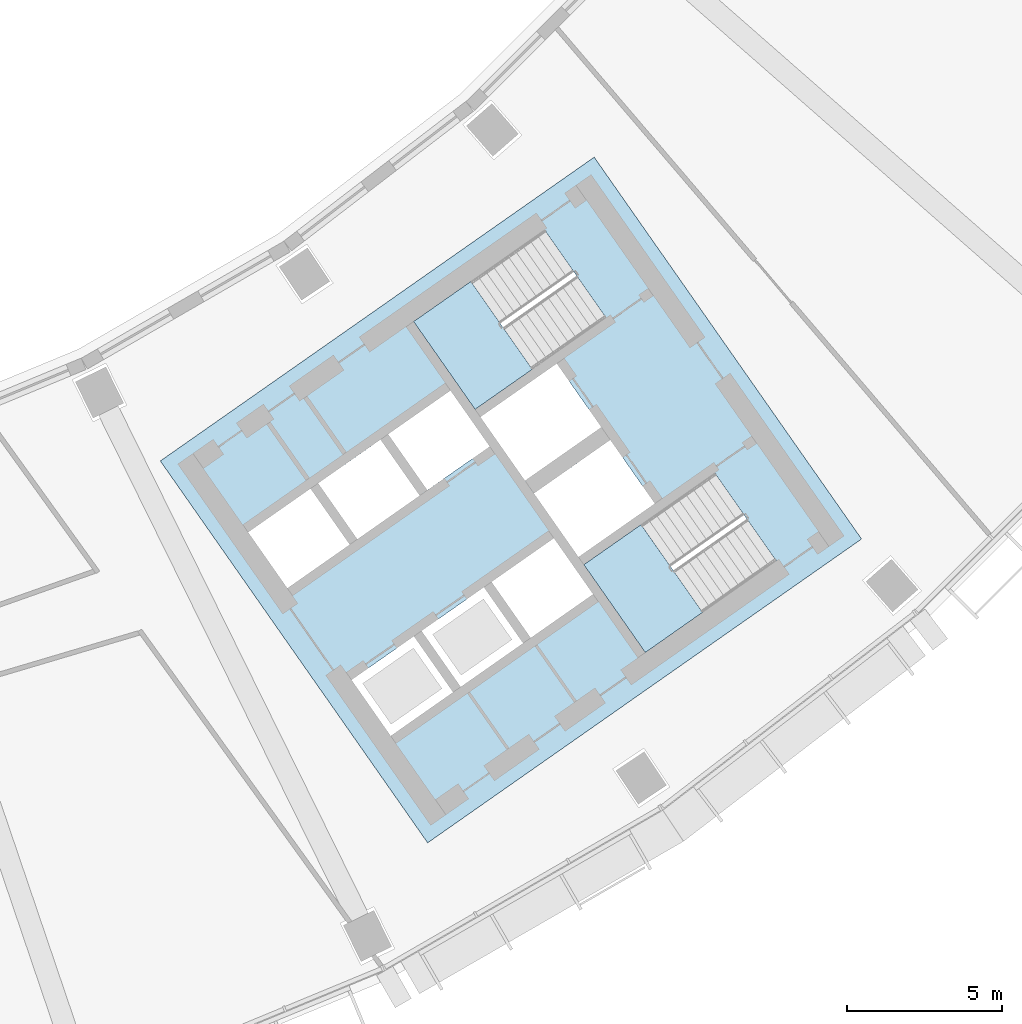
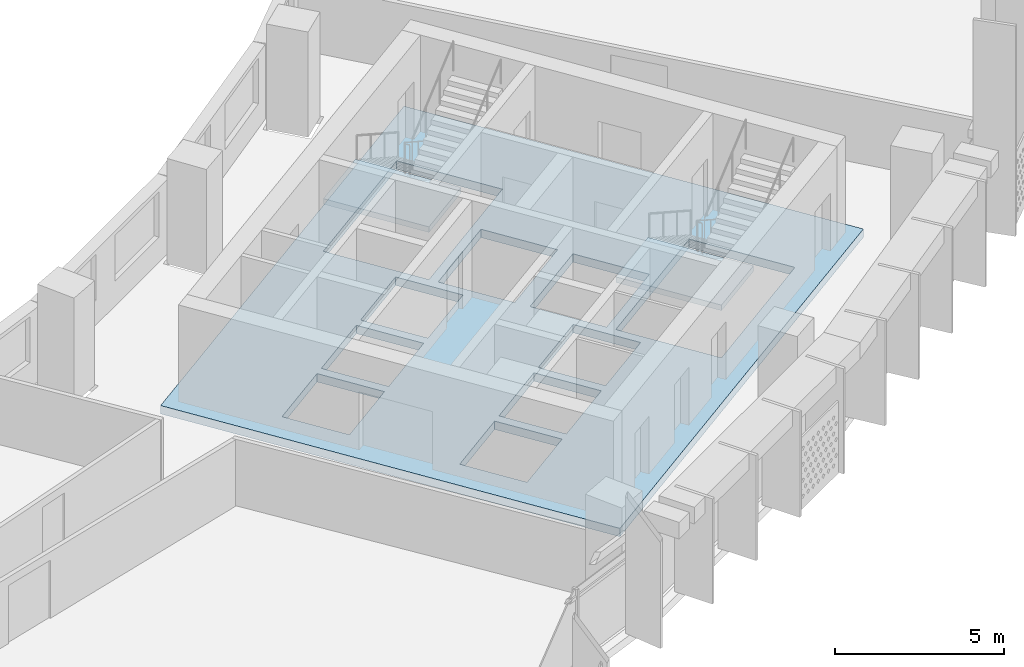
# One storey, part 2 of 31: 3 slabs, 2 elements without a shape of their own.
"""IFC4 building model written with IfcOpenShell, lengths in metres."""

from ifc_helpers import new_model, si_unit, direction, frame, origin, place, context, subcontext, project, spatial, polyline, outline, extrude, material, layer, layer_set, type_object, element, aggregate, save


model = new_model("IFC4")

# Units and contexts
model_context = context("Model", 3, precision=1e-05, world=origin(), true_north=direction((0.0, 1.0)))
body_context = subcontext(model_context, "Body", "Model", "MODEL_VIEW")
ifc_project = project(units=[si_unit("LENGTHUNIT", "METRE"), si_unit("AREAUNIT", "SQUARE_METRE"), si_unit("VOLUMEUNIT", "CUBIC_METRE"), si_unit("PLANEANGLEUNIT", "RADIAN"), si_unit("MASSUNIT", "GRAM", prefix="KILO")], contexts=[model_context])

# Site, building, storey
site_placement = place(None, origin())
site = spatial("IfcSite", under=ifc_project, at=site_placement, CompositionType="ELEMENT")
building_placement = place(site_placement, origin())
building = spatial("IfcBuilding", under=site, at=building_placement, Name="Qamariyya Broadcast Tower", CompositionType="ELEMENT")
storey_placement = place(building_placement, frame((0.0, 0.0, 149.300048828125)))
storey = spatial("IfcBuildingStorey", under=building, at=storey_placement, Name="L34", CompositionType="ELEMENT", Elevation=149.300048828125)

# Slab
ifc_material_1 = material(Name="Concrete C40/50", Category="concrete")
ifc_layer_1 = layer(ifc_material_1, 0.300048828125)
ifc_layer_set_1 = layer_set([ifc_layer_1], Name="Core floor slab 300 mm Concrete C40/50")
slab_type_1 = type_object("IfcSlabType", Name="Core floor slab 300 mm Concrete C40/50", PredefinedType="FLOOR", material=ifc_layer_set_1)
slab_1_placement = place(storey_placement, frame((0.0, 0.0, -0.300048828125)))
element("IfcSlab", 1, at=slab_1_placement, inside=storey, type_object=slab_type_1, Name="k-E-L34-slab", PredefinedType="FLOOR", context=body_context, shape_type="SweptSolid", body=[
    extrude(outline(polyline([(36.32373046875, -66.734375), (50.286376953125, -56.95751953125), (41.6826171875, -44.67041015625), (27.719970703125, -54.447021484375), (36.32373046875, -66.734375)]), holes=[polyline([(31.80859375, -58.542724609375), (33.8154296875, -57.137451171875), (32.5537109375, -55.335205078125), (30.546630859375, -56.740478515625), (31.80859375, -58.542724609375)]), polyline([(34.061279296875, -56.96533203125), (36.068115234375, -55.56005859375), (34.806396484375, -53.758056640625), (32.79931640625, -55.163330078125), (34.061279296875, -56.96533203125)]), polyline([(36.31396484375, -55.387939453125), (38.32080078125, -53.982666015625), (37.058837890625, -52.1806640625), (35.052001953125, -53.5859375), (36.31396484375, -55.387939453125)]), polyline([(33.87353515625, -61.49169921875), (35.88037109375, -60.08642578125), (37.142333984375, -61.888427734375), (35.13525390625, -63.293701171875), (33.87353515625, -61.49169921875)]), polyline([(36.126220703125, -59.914306640625), (38.133056640625, -58.509033203125), (39.394775390625, -60.311279296875), (37.387939453125, -61.716552734375), (36.126220703125, -59.914306640625)]), polyline([(38.378662109375, -58.3369140625), (40.3857421875, -56.931640625), (41.6474609375, -58.73388671875), (39.640625, -60.13916015625), (38.378662109375, -58.3369140625)]), polyline([(39.742431640625, -55.489990234375), (42.199951171875, -53.769287109375), (43.6337890625, -55.817138671875), (41.17626953125, -57.537841796875), (39.742431640625, -55.489990234375)]), polyline([(39.45556640625, -55.080322265625), (41.9130859375, -53.359619140625), (40.47900390625, -51.311767578125), (38.021728515625, -53.032470703125), (39.45556640625, -55.080322265625)]), polyline([(40.082275390625, -47.01171875), (35.870849609375, -49.960693359375), (37.849609375, -52.78662109375), (42.06103515625, -49.837890625), (40.082275390625, -47.01171875)]), polyline([(45.559814453125, -54.834716796875), (41.348388671875, -57.783447265625), (43.3271484375, -60.609619140625), (47.538818359375, -57.66064453125), (45.559814453125, -54.834716796875)])]), origin(), (0.0, 0.0, 1.0), 0.300048828125),
])

# Stair, slab
ifc_material_2 = material(Name="Concrete C50/60", Category="concrete")
stair_type = type_object("IfcStairType", Name="Exit stair 22 risers of 173 mm", PredefinedType="HALF_TURN_STAIR", material=ifc_material_2)
stair_1_placement = place(storey_placement, origin())
stair_1 = element("IfcStair", 2, at=stair_1_placement, inside=storey, type_object=stair_type, Name="L34 Stair E2", PredefinedType="HALF_TURN_STAIR")
ifc_layer_2 = layer(ifc_material_2, 0.199951171875)
ifc_layer_set_2 = layer_set([ifc_layer_2], Name="Stair landing")
slab_type_2 = type_object("IfcSlabType", Name="Stair landing", PredefinedType="LANDING", material=ifc_layer_set_2)
slab_2_placement = place(storey_placement, frame((0.0, 0.0, 1.699951171875)))
slab_2 = element("IfcSlab", 3, at=slab_2_placement, type_object=slab_type_2, Name="ST-E2 landing 1", PredefinedType="LANDING", context=body_context, shape_type="SweptSolid", body=[
    extrude(outline(polyline([(37.71337890625, -48.67041015625), (35.870849609375, -49.960693359375), (37.849609375, -52.78662109375), (39.692138671875, -51.49658203125), (37.71337890625, -48.67041015625)])), origin(), (0.0, 0.0, 1.0), 0.199951171875),
])
aggregate(stair_1, [slab_2])

stair_2_placement = place(storey_placement, origin())
stair_2 = element("IfcStair", 4, at=stair_2_placement, inside=storey, type_object=stair_type, Name="L34 Stair E1", PredefinedType="HALF_TURN_STAIR")
slab_3_placement = place(storey_placement, frame((0.0, 0.0, 1.699951171875)))
slab_3 = element("IfcSlab", 5, at=slab_3_placement, type_object=slab_type_2, Name="ST-E1 landing 1", PredefinedType="LANDING", context=body_context, shape_type="SweptSolid", body=[
    extrude(outline(polyline([(43.19091796875, -56.493408203125), (41.348388671875, -57.783447265625), (43.3271484375, -60.609619140625), (45.169677734375, -59.319580078125), (43.19091796875, -56.493408203125)])), origin(), (0.0, 0.0, 1.0), 0.199951171875),
])
aggregate(stair_2, [slab_3])

save(model, "model.ifc")
